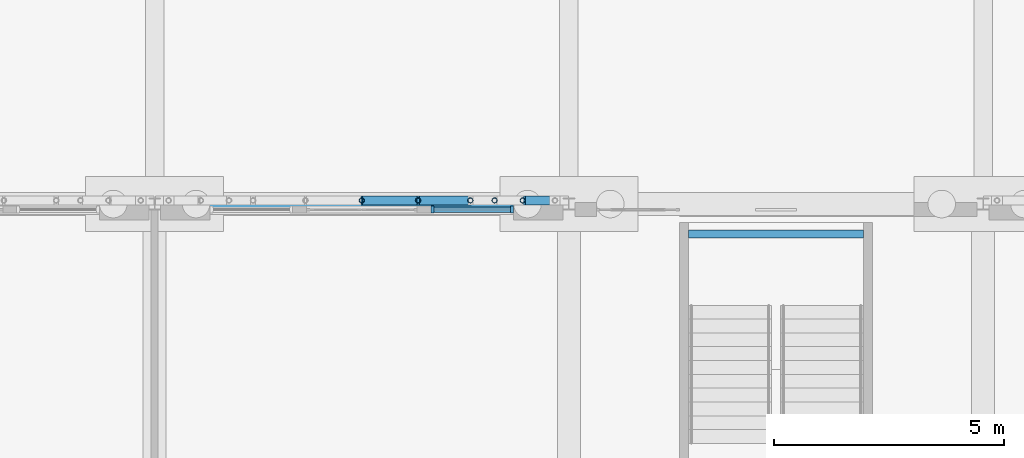
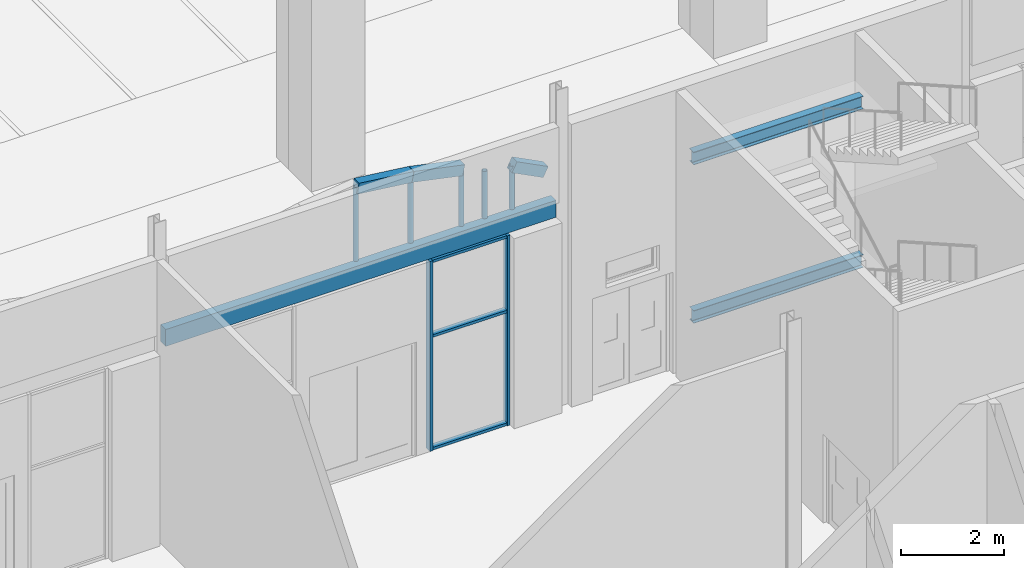
# One storey, part 49 of 250: 10 members, 6 beams, 1 element without a shape of its own.
"""IFC4 building model written with IfcOpenShell, lengths in metres."""

from ifc_helpers import new_model, si_unit, direction, frame, origin, origin_2d, place, context, subcontext, project, spatial, rectangle, hollow_circle, i_section, extrude, material, material_profile, profile_set, type_object, element, aggregate, save


model = new_model("IFC4")

# Units and contexts
model_context = context("Model", 3, precision=1e-05, world=origin(), true_north=direction((0.0, 1.0)))
body_context = subcontext(model_context, "Body", "Model", "MODEL_VIEW")
ifc_project = project(units=[si_unit("LENGTHUNIT", "METRE"), si_unit("AREAUNIT", "SQUARE_METRE"), si_unit("VOLUMEUNIT", "CUBIC_METRE"), si_unit("PLANEANGLEUNIT", "RADIAN"), si_unit("MASSUNIT", "GRAM", prefix="KILO")], contexts=[model_context])

# Site, building, storey
site_placement = place(None, origin())
site = spatial("IfcSite", under=ifc_project, at=site_placement, CompositionType="ELEMENT")
building_placement = place(site_placement, origin())
building = spatial("IfcBuilding", under=site, at=building_placement, Name="Baradari Gate Terminus", CompositionType="ELEMENT")
storey_placement = place(building_placement, origin())
storey = spatial("IfcBuildingStorey", under=building, at=storey_placement, Name="L00", CompositionType="ELEMENT", Elevation=0.0)

# Members
ifc_material_1 = material(Name="Steel S355", Category="steel")
ifc_material_profile_1 = material_profile(ifc_material_1, hollow_circle(Radius=0.05712890625, WallThickness=0.00634765625, at=origin_2d()), Name="CHS 114.3x6.3")
ifc_profile_set_1 = profile_set([ifc_material_profile_1], Name="Steel S355")
member_type_1 = type_object("IfcMemberType", Name="Arcade arch post SP-2 114x6.3", PredefinedType="POST", material=ifc_profile_set_1)
member_1_placement = place(storey_placement, frame((112.5, 108.07861328125, 4.89990234375), z_axis=(0.0, 0.0, 1.0), x_axis=(1.0, 0.0, 0.0)))
element("IfcMember", 1, at=member_1_placement, inside=storey, type_object=member_type_1, Name="Arcade arch post 12.7", PredefinedType="POST", context=body_context, shape_type="SweptSolid", body=[
    extrude(hollow_circle(Radius=0.05712890625, WallThickness=0.00634765625, at=origin_2d()), origin(), (0.0, 0.0, 1.0), 1.7421875),
])
member_2_placement = place(storey_placement, frame((113.72412109375, 108.07861328125, 4.89990234375), z_axis=(0.0, 0.0, 1.0), x_axis=(1.0, 0.0, 0.0)))
element("IfcMember", 2, at=member_2_placement, inside=storey, type_object=member_type_1, Name="Arcade arch post 12.8", PredefinedType="POST", context=body_context, shape_type="SweptSolid", body=[
    extrude(hollow_circle(Radius=0.05712890625, WallThickness=0.00634765625, at=origin_2d()), origin(), (0.0, 0.0, 1.0), 1.593017578125),
])
member_3_placement = place(storey_placement, frame((114.86083984375, 108.07861328125, 4.89990234375), z_axis=(0.0, 0.0, 1.0), x_axis=(1.0, 0.0, 0.0)))
element("IfcMember", 3, at=member_3_placement, inside=storey, type_object=member_type_1, Name="Arcade arch post 12.9", PredefinedType="POST", context=body_context, shape_type="SweptSolid", body=[
    extrude(hollow_circle(Radius=0.05712890625, WallThickness=0.00634765625, at=origin_2d()), origin(), (0.0, 0.0, 1.0), 1.354248046875),
])
member_4_placement = place(storey_placement, frame((115.385498046875, 108.07861328125, 4.89990234375), z_axis=(0.0, 0.0, 1.0), x_axis=(1.0, 0.0, 0.0)))
element("IfcMember", 4, at=member_4_placement, inside=storey, type_object=member_type_1, Name="Arcade arch post 12.10", PredefinedType="POST", context=body_context, shape_type="SweptSolid", body=[
    extrude(hollow_circle(Radius=0.05712890625, WallThickness=0.00634765625, at=origin_2d()), origin(), (0.0, 0.0, 1.0), 1.115478515625),
])
member_5_placement = place(storey_placement, frame((115.99755859375, 108.07861328125, 4.89990234375), z_axis=(0.0, 0.0, 1.0), x_axis=(1.0, 0.0, 0.0)))
element("IfcMember", 5, at=member_5_placement, inside=storey, type_object=member_type_1, Name="Arcade arch post 12.11", PredefinedType="POST", context=body_context, shape_type="SweptSolid", body=[
    extrude(hollow_circle(Radius=0.05712890625, WallThickness=0.00634765625, at=origin_2d()), origin(), (0.0, 0.0, 1.0), 1.02587890625),
])

# Beams
ifc_material_2 = material(Name="Concrete C40/50 precast", Category="concrete")
ifc_material_profile_2 = material_profile(ifc_material_2, rectangle(XDim=0.199951171875, YDim=0.25, at=origin_2d()), Name="AB-1 200X250")
ifc_profile_set_2 = profile_set([ifc_material_profile_2], Name="Concrete C40/50 precast")
beam_type_1 = type_object("IfcBeamType", Name="Arcade arch segment AB-1 200x250", PredefinedType="BEAM", material=ifc_profile_set_2)
beam_1_placement = place(storey_placement, frame((112.5, 108.07861328125, 6.64208984375), z_axis=(0.992656897947, 0.0, -0.120963973802), x_axis=(0.0, 1.0, 0.0)))
element("IfcBeam", 6, at=beam_1_placement, inside=storey, type_object=beam_type_1, Name="Arcade arch AB-1 bay 12 segment 7", PredefinedType="BEAM", context=body_context, shape_type="SweptSolid", body=[
    extrude(rectangle(XDim=0.199951171875, YDim=0.25, at=origin_2d()), origin(), (0.0, 0.0, 1.0), 1.233154296875),
])
beam_2_placement = place(storey_placement, frame((113.72412109375, 108.07861328125, 6.492919921875), z_axis=(0.978643349291, 0.0, -0.205565548885), x_axis=(0.0, 1.0, 0.0)))
element("IfcBeam", 7, at=beam_2_placement, inside=storey, type_object=beam_type_1, Name="Arcade arch AB-1 bay 12 segment 8", PredefinedType="BEAM", context=body_context, shape_type="SweptSolid", body=[
    extrude(rectangle(XDim=0.199951171875, YDim=0.25, at=origin_2d()), origin(), (0.0, 0.0, 1.0), 1.16162109375),
])
beam_3_placement = place(storey_placement, frame((115.99755859375, 108.07861328125, 5.92578125), z_axis=(0.89022472097, 0.0, -0.455521619875), x_axis=(0.0, 1.0, 0.0)))
element("IfcBeam", 8, at=beam_3_placement, inside=storey, type_object=beam_type_1, Name="Arcade arch AB-1 bay 12 segment 11", PredefinedType="BEAM", context=body_context, shape_type="SweptSolid", body=[
    extrude(rectangle(XDim=0.199951171875, YDim=0.25, at=origin_2d()), origin(), (0.0, 0.0, 1.0), 0.78564453125),
])
ifc_material_3 = material(Name="Concrete C50/60 precast", Category="concrete")
ifc_material_profile_3 = material_profile(ifc_material_3, rectangle(XDim=0.199951171875, YDim=0.39990234375, at=origin_2d()), Name="LB-1 200X400")
ifc_profile_set_3 = profile_set([ifc_material_profile_3], Name="Concrete C50/60 precast")
beam_type_2 = type_object("IfcBeamType", Name="Arcade lintel LB-1 200x400", PredefinedType="LINTEL", material=ifc_profile_set_3)
beam_4_placement = place(storey_placement, frame((108.128173828125, 107.978515625, 4.699951171875), z_axis=(1.0, 0.0, 0.0), x_axis=(0.0, 1.0, 0.0)))
element("IfcBeam", 9, at=beam_4_placement, inside=storey, type_object=beam_type_2, Name="Arcade lintel LB-1 bay 12", PredefinedType="LINTEL", context=body_context, shape_type="SweptSolid", body=[
    extrude(rectangle(XDim=0.199951171875, YDim=0.39990234375, at=origin_2d()), origin(), (0.0, 0.0, 1.0), 8.74365234375),
])

# Curtain wall, members
ifc_material_4 = material(Name="Aluminium 6063-T6", Category="aluminium")
curtain_wall_type = type_object("IfcCurtainWallType", Name="Curtain wall CW-2 shopfront", PredefinedType="NOTDEFINED", material=ifc_material_4)
curtain_wall_placement = place(storey_placement, origin())
curtain_wall = element("IfcCurtainWall", 10, at=curtain_wall_placement, inside=storey, type_object=curtain_wall_type, Name="Shopfront curtain wall CW-2 HN bay 12 L00", PredefinedType="NOTDEFINED")
ifc_material_5 = material(Name="Aluminium 6063-T6", Category="aluminium")
ifc_material_profile_4 = material_profile(ifc_material_5, rectangle(XDim=0.14990234375, YDim=0.06494140625, at=origin_2d()), Name="CM-2 65X150")
ifc_profile_set_4 = profile_set([ifc_material_profile_4], Name="Aluminium 6063-T6")
member_type_2 = type_object("IfcMemberType", Name="Curtain wall mullion CM-2 65x150", PredefinedType="MULLION", material=ifc_profile_set_4)
member_6_placement = place(storey_placement, frame((114.032470703125, 107.87841796875, 0.0), z_axis=(0.0, 0.0, 1.0), x_axis=(0.0, 1.0, 0.0)))
member_6 = element("IfcMember", 11, at=member_6_placement, type_object=member_type_2, Name="CW-2 mullion 1", PredefinedType="MULLION", context=body_context, shape_type="SweptSolid", body=[
    extrude(rectangle(XDim=0.14990234375, YDim=0.06494140625, at=origin_2d()), origin(), (0.0, 0.0, 1.0), 4.5),
])
member_7_placement = place(storey_placement, frame((115.767578125, 107.87841796875, 0.0), z_axis=(0.0, 0.0, 1.0), x_axis=(0.0, 1.0, 0.0)))
member_7 = element("IfcMember", 12, at=member_7_placement, type_object=member_type_2, Name="CW-2 mullion 2", PredefinedType="MULLION", context=body_context, shape_type="SweptSolid", body=[
    extrude(rectangle(XDim=0.14990234375, YDim=0.06494140625, at=origin_2d()), origin(), (0.0, 0.0, 1.0), 4.5),
])
ifc_material_6 = material(Name="Aluminium 6063-T6", Category="aluminium")
ifc_material_profile_5 = material_profile(ifc_material_6, rectangle(XDim=0.1201171875, YDim=0.06494140625, at=origin_2d()), Name="CT-2 65X120")
ifc_profile_set_5 = profile_set([ifc_material_profile_5], Name="Aluminium 6063-T6")
member_type_3 = type_object("IfcMemberType", Name="Curtain wall transom CT-2 65x120", PredefinedType="USERDEFINED", material=ifc_profile_set_5)
member_8_placement = place(storey_placement, frame((114.06494140625, 107.87841796875, 0.032470703125), z_axis=(1.0, 0.0, 0.0), x_axis=(0.0, 1.0, 0.0)))
member_8 = element("IfcMember", 13, at=member_8_placement, type_object=member_type_3, Name="CW-2 transom 1.1", ObjectType="TRANSOM", PredefinedType="USERDEFINED", context=body_context, shape_type="SweptSolid", body=[
    extrude(rectangle(XDim=0.1201171875, YDim=0.06494140625, at=origin_2d()), origin(), (0.0, 0.0, 1.0), 1.670166015625),
])
member_9_placement = place(storey_placement, frame((114.06494140625, 107.87841796875, 2.699951171875), z_axis=(1.0, 0.0, 0.0), x_axis=(0.0, 1.0, 0.0)))
member_9 = element("IfcMember", 14, at=member_9_placement, type_object=member_type_3, Name="CW-2 transom 1.2", ObjectType="TRANSOM", PredefinedType="USERDEFINED", context=body_context, shape_type="SweptSolid", body=[
    extrude(rectangle(XDim=0.1201171875, YDim=0.06494140625, at=origin_2d()), origin(), (0.0, 0.0, 1.0), 1.670166015625),
])
member_10_placement = place(storey_placement, frame((114.06494140625, 107.87841796875, 4.467529296875), z_axis=(1.0, 0.0, 0.0), x_axis=(0.0, 1.0, 0.0)))
member_10 = element("IfcMember", 15, at=member_10_placement, type_object=member_type_3, Name="CW-2 transom 1.3", ObjectType="TRANSOM", PredefinedType="USERDEFINED", context=body_context, shape_type="SweptSolid", body=[
    extrude(rectangle(XDim=0.1201171875, YDim=0.06494140625, at=origin_2d()), origin(), (0.0, 0.0, 1.0), 1.670166015625),
])
aggregate(curtain_wall, [member_6, member_7, member_8, member_9, member_10])

# Beams
ifc_material_7 = material(Name="Steel S355", Category="steel")
ifc_material_profile_6 = material_profile(ifc_material_7, i_section(OverallWidth=0.1650390625, OverallDepth=0.303466796875, WebThickness=0.006103515625, FlangeThickness=0.01025390625, FilletRadius=0.0087890625, at=origin_2d()), Name="UB 305x165x40")
ifc_profile_set_6 = profile_set([ifc_material_profile_6], Name="Steel S355")
beam_type_3 = type_object("IfcBeamType", Name="Landing beam B71 UB 305x165x40", PredefinedType="BEAM", material=ifc_profile_set_6)
beam_5_placement = place(storey_placement, frame((119.60009765625, 107.35009765625, 1.54833984375), z_axis=(1.0, 0.0, 0.0), x_axis=(0.0, 1.0, 0.0)))
element("IfcBeam", 16, at=beam_5_placement, inside=storey, type_object=beam_type_3, Name="B71 landing beam ST-H2/L1", PredefinedType="BEAM", context=body_context, shape_type="SweptSolid", body=[
    extrude(i_section(OverallWidth=0.1650390625, OverallDepth=0.303466796875, WebThickness=0.006103515625, FlangeThickness=0.01025390625, FilletRadius=0.0087890625, at=origin_2d()), origin(), (0.0, 0.0, 1.0), 3.7998046875),
])
ifc_material_8 = material(Name="Steel S355", Category="steel")
ifc_material_profile_7 = material_profile(ifc_material_8, i_section(OverallWidth=0.1650390625, OverallDepth=0.303466796875, WebThickness=0.006103515625, FlangeThickness=0.01025390625, FilletRadius=0.0087890625, at=origin_2d()), Name="UB 305x165x40")
ifc_profile_set_7 = profile_set([ifc_material_profile_7], Name="Steel S355")
beam_type_4 = type_object("IfcBeamType", Name="Landing beam B72 UB 305x165x40", PredefinedType="BEAM", material=ifc_profile_set_7)
beam_6_placement = place(storey_placement, frame((119.60009765625, 107.35009765625, 5.29833984375), z_axis=(1.0, 0.0, 0.0), x_axis=(0.0, 1.0, 0.0)))
element("IfcBeam", 17, at=beam_6_placement, inside=storey, type_object=beam_type_4, Name="B72 landing beam ST-H2/L3", PredefinedType="BEAM", context=body_context, shape_type="SweptSolid", body=[
    extrude(i_section(OverallWidth=0.1650390625, OverallDepth=0.303466796875, WebThickness=0.006103515625, FlangeThickness=0.01025390625, FilletRadius=0.0087890625, at=origin_2d()), origin(), (0.0, 0.0, 1.0), 3.7998046875),
])

save(model, "model.ifc")
